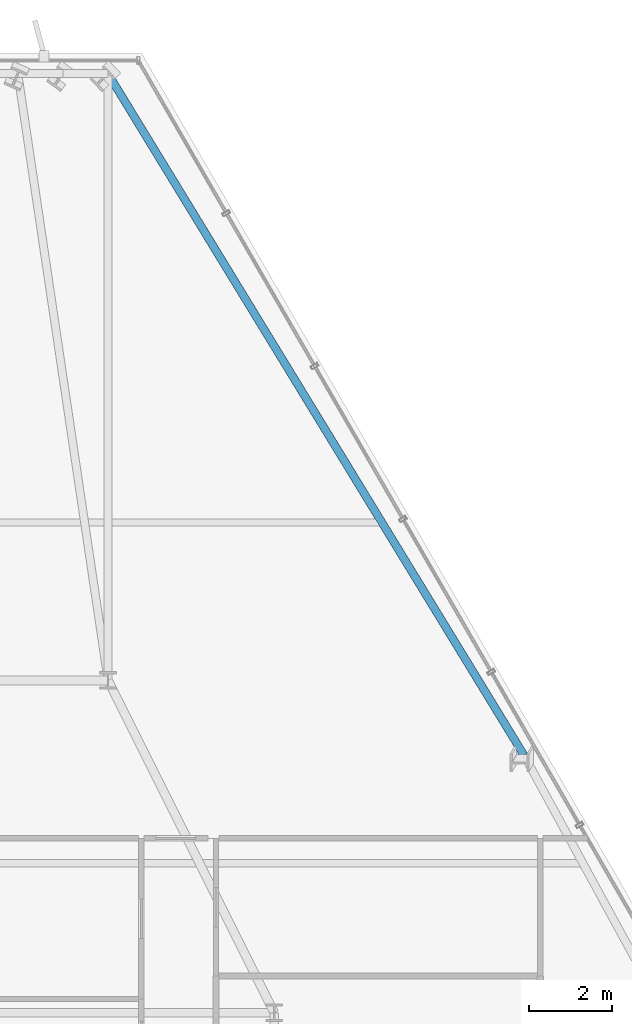
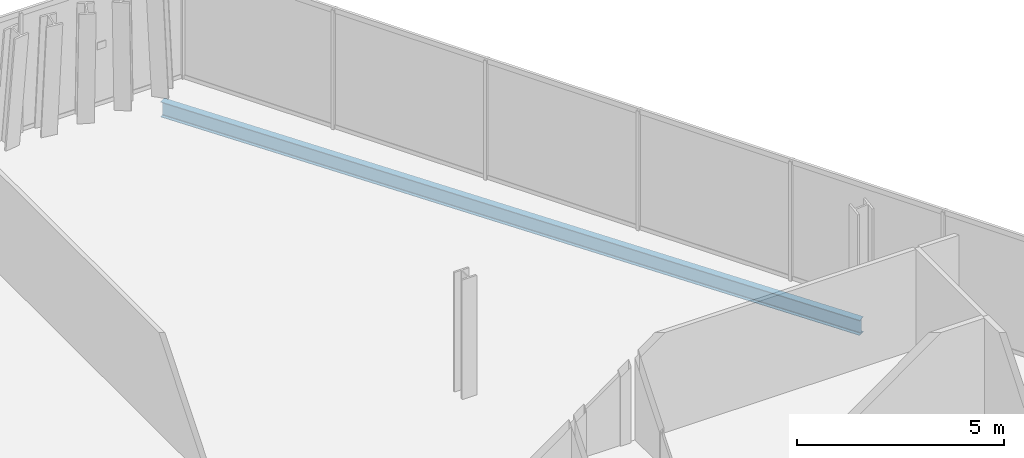
# One storey, part 24 of 34: 1 beam.
"""IFC4 building model written with IfcOpenShell, lengths in metres."""

from ifc_helpers import new_model, si_unit, direction, frame, origin, origin_2d, place, context, subcontext, project, spatial, i_section, extrude, material, material_profile, profile_set, type_object, element, save


model = new_model("IFC4")

# Units and contexts
model_context = context("Model", 3, precision=1e-05, world=origin(), true_north=direction((0.0, 1.0)))
body_context = subcontext(model_context, "Body", "Model", "MODEL_VIEW")
ifc_project = project(units=[si_unit("LENGTHUNIT", "METRE"), si_unit("AREAUNIT", "SQUARE_METRE"), si_unit("VOLUMEUNIT", "CUBIC_METRE"), si_unit("PLANEANGLEUNIT", "RADIAN"), si_unit("MASSUNIT", "GRAM", prefix="KILO")], contexts=[model_context])

# Site, building, storey
site_placement = place(None, origin())
site = spatial("IfcSite", under=ifc_project, at=site_placement, CompositionType="ELEMENT")
building_placement = place(site_placement, origin())
building = spatial("IfcBuilding", under=site, at=building_placement, Name="Ndaravel Arena Tower", CompositionType="ELEMENT")
storey_placement = place(building_placement, frame((0.0, 0.0, 199.199951171875)))
storey = spatial("IfcBuildingStorey", under=building, at=storey_placement, Name="L48", CompositionType="ELEMENT", Elevation=199.199951171875)

# Beam
ifc_material = material(Name="Steel S355", Category="steel")
ifc_material_profile = material_profile(ifc_material, i_section(OverallWidth=0.18994140625, OverallDepth=0.449951171875, WebThickness=0.009521484375, FlangeThickness=0.0146484375, FilletRadius=0.02099609375, at=origin_2d()), Name="IPE 450")
ifc_profile_set = profile_set([ifc_material_profile], Name="Steel S355")
beam_type = type_object("IfcBeamType", Name="BM-SPAN-IPE450", PredefinedType="SPANDREL", material=ifc_profile_set)
beam_placement = place(storey_placement, frame((55.810302734375, 29.39990234375, -0.445068359375), z_axis=(-0.521014769713, 0.853547661083, 0.0), x_axis=(-0.853547661083, -0.521014769713, 0.0)))
element("IfcBeam", 1, at=beam_placement, inside=storey, type_object=beam_type, Name="L48 Perimeter Spandrel Beam SP-10", PredefinedType="SPANDREL", context=body_context, shape_type="SweptSolid", body=[
    extrude(i_section(OverallWidth=0.18994140625, OverallDepth=0.449951171875, WebThickness=0.009521484375, FlangeThickness=0.0146484375, FilletRadius=0.02099609375, at=origin_2d()), origin(), (0.0, 0.0, 1.0), 19.220947265625),
])

save(model, "model.ifc")
